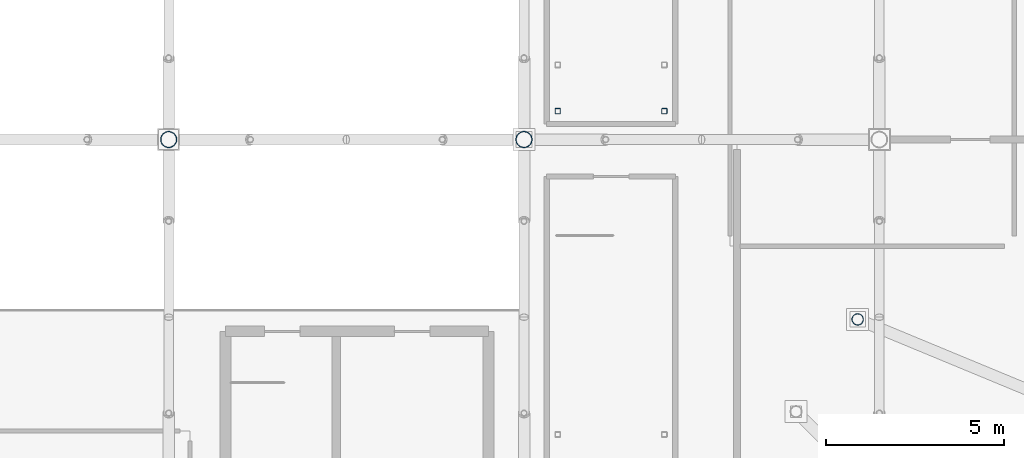
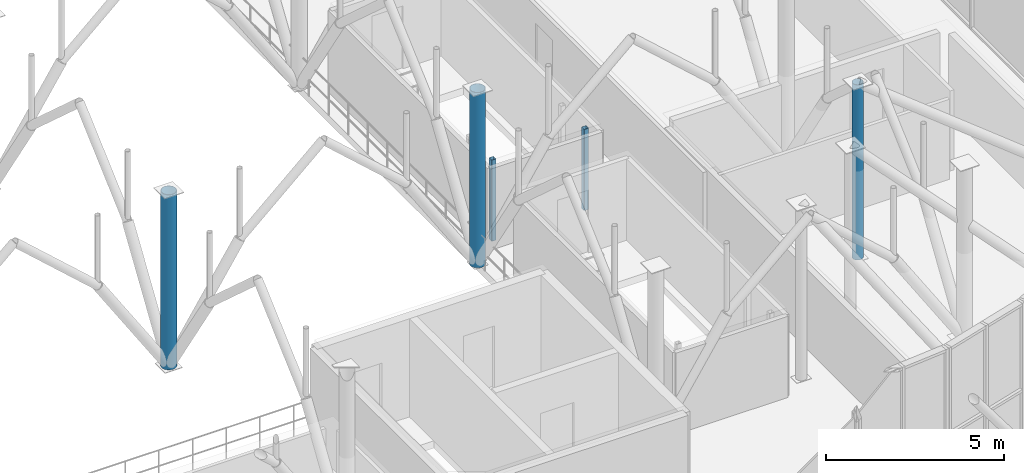
# One storey, part 10 of 109: 5 columns.
"""IFC4 building model written with IfcOpenShell, lengths in metres."""

from ifc_helpers import new_model, si_unit, derived_unit, direction, frame, origin, origin_2d_with_axis, place, context, subcontext, project, spatial, hollow_rectangle, hollow_circle, extrude, material, material_profile, profile_set, type_object, element, save


model = new_model("IFC4")

# Units and contexts
model_context = context("Model", 3, precision=1e-05, world=origin(), true_north=direction((0.0, 1.0)))
body_context = subcontext(model_context, "Body", "Model", "MODEL_VIEW")
ifc_project = project(units=[si_unit("LENGTHUNIT", "METRE"), si_unit("AREAUNIT", "SQUARE_METRE"), si_unit("VOLUMEUNIT", "CUBIC_METRE"), si_unit("PLANEANGLEUNIT", "RADIAN"), si_unit("MASSUNIT", "GRAM", prefix="KILO"), derived_unit("THERMALTRANSMITTANCEUNIT", [(si_unit("POWERUNIT", "WATT"), 1), (si_unit("LENGTHUNIT", "METRE"), -2), (si_unit("THERMODYNAMICTEMPERATUREUNIT", "KELVIN"), -1)])], contexts=[model_context])

# Site, building, storey
site_placement = place(None, origin())
site = spatial("IfcSite", under=ifc_project, at=site_placement, CompositionType="ELEMENT")
building_placement = place(site_placement, origin())
building = spatial("IfcBuilding", under=site, at=building_placement, Name="Cinnabar Yard Market Hall", CompositionType="ELEMENT")
storey_placement = place(building_placement, frame((0.0, 0.0, 8.39990234375)))
storey = spatial("IfcBuildingStorey", under=building, at=storey_placement, Name="L02", CompositionType="ELEMENT", Elevation=8.39990234375)

# Columns
ifc_material_1 = material(Name="Spotted-gum glulam-clad steel Grade 350 (350 MPa)", Category="steel")
ifc_material_profile_1 = material_profile(ifc_material_1, hollow_circle(Radius=0.228515625, WallThickness=0.0126953125, at=origin_2d_with_axis()), Name="457.0x12.7CHS")
ifc_profile_set_1 = profile_set([ifc_material_profile_1], Name="Spotted-gum glulam-clad steel Grade 350 (350 MPa)")
column_type_1 = type_object("IfcColumnType", Name="COL-C01", PredefinedType="COLUMN", material=ifc_profile_set_1)
for number, where, z_axis, x_axis, name in (
    (1, (136.0, 34.0, 0.0), (0.0, 0.0, 1.0), (1.0, 0.0, 0.0), "Tree Column V1I-07-02 L02"),
    (2, (146.0, 34.0, 0.0), (0.0, 0.0, 1.0), (1.0, 0.0, 0.0), "Tree Column V1I-08-02 L02"),
):
    element("IfcColumn", number, at=place(storey_placement, frame(where, z_axis=z_axis, x_axis=x_axis)), inside=storey, type_object=column_type_1, Name=name, PredefinedType="COLUMN", context=body_context, shape_type="SweptSolid", body=[
        extrude(hollow_circle(Radius=0.228515625, WallThickness=0.0126953125, at=origin_2d_with_axis()), origin(), (0.0, 0.0, 1.0), 6.0),
    ])
ifc_material_profile_2 = material_profile(ifc_material_1, hollow_circle(Radius=0.161865234375, WallThickness=0.009521484375, at=origin_2d_with_axis()), Name="323.9x9.5CHS")
ifc_profile_set_2 = profile_set([ifc_material_profile_2], Name="Spotted-gum glulam-clad steel Grade 350 (350 MPa)")
column_type_2 = type_object("IfcColumnType", Name="COL-C03", PredefinedType="COLUMN", material=ifc_profile_set_2)
column_placement = place(storey_placement, frame((155.39111328125, 28.9384765625, 0.0), z_axis=(0.0, 0.0, 1.0), x_axis=(1.0, 0.0, 0.0)))
element("IfcColumn", 3, at=column_placement, inside=storey, type_object=column_type_2, Name="Tree Column V1IC-SE6 L02", PredefinedType="COLUMN", context=body_context, shape_type="SweptSolid", body=[
    extrude(hollow_circle(Radius=0.161865234375, WallThickness=0.009521484375, at=origin_2d_with_axis()), origin(), (0.0, 0.0, 1.0), 6.0),
])
ifc_material_2 = material(Name="Cold-formed steel C350L0", Category="steel")
ifc_material_profile_3 = material_profile(ifc_material_2, hollow_rectangle(XDim=0.14990234375, YDim=0.14990234375, WallThickness=0.006103515625, InnerFilletRadius=0.006103515625, OuterFilletRadius=0.011962890625, at=origin_2d_with_axis()), Name="150x150x6.0SHS")
ifc_profile_set_3 = profile_set([ifc_material_profile_3], Name="Cold-formed steel C350L0")
column_type_3 = type_object("IfcColumnType", Name="COL-C16", PredefinedType="COLUMN", material=ifc_profile_set_3)
for number, where, z_axis, x_axis, name in (
    (4, (146.949951171875, 34.800048828125, 0.0), (0.0, 0.0, 1.0), (1.0, 0.0, 0.0), "Feature Stair Cap Post ST-F2-1"),
    (5, (149.949951171875, 34.800048828125, 0.0), (0.0, 0.0, 1.0), (1.0, 0.0, 0.0), "Feature Stair Cap Post ST-F2-2"),
):
    element("IfcColumn", number, at=place(storey_placement, frame(where, z_axis=z_axis, x_axis=x_axis)), inside=storey, type_object=column_type_3, Name=name, PredefinedType="COLUMN", context=body_context, shape_type="SweptSolid", body=[
        extrude(hollow_rectangle(XDim=0.14990234375, YDim=0.14990234375, WallThickness=0.006103515625, InnerFilletRadius=0.006103515625, OuterFilletRadius=0.011962890625, at=origin_2d_with_axis()), origin(), (0.0, 0.0, 1.0), 2.780029296875),
    ])

save(model, "model.ifc")
